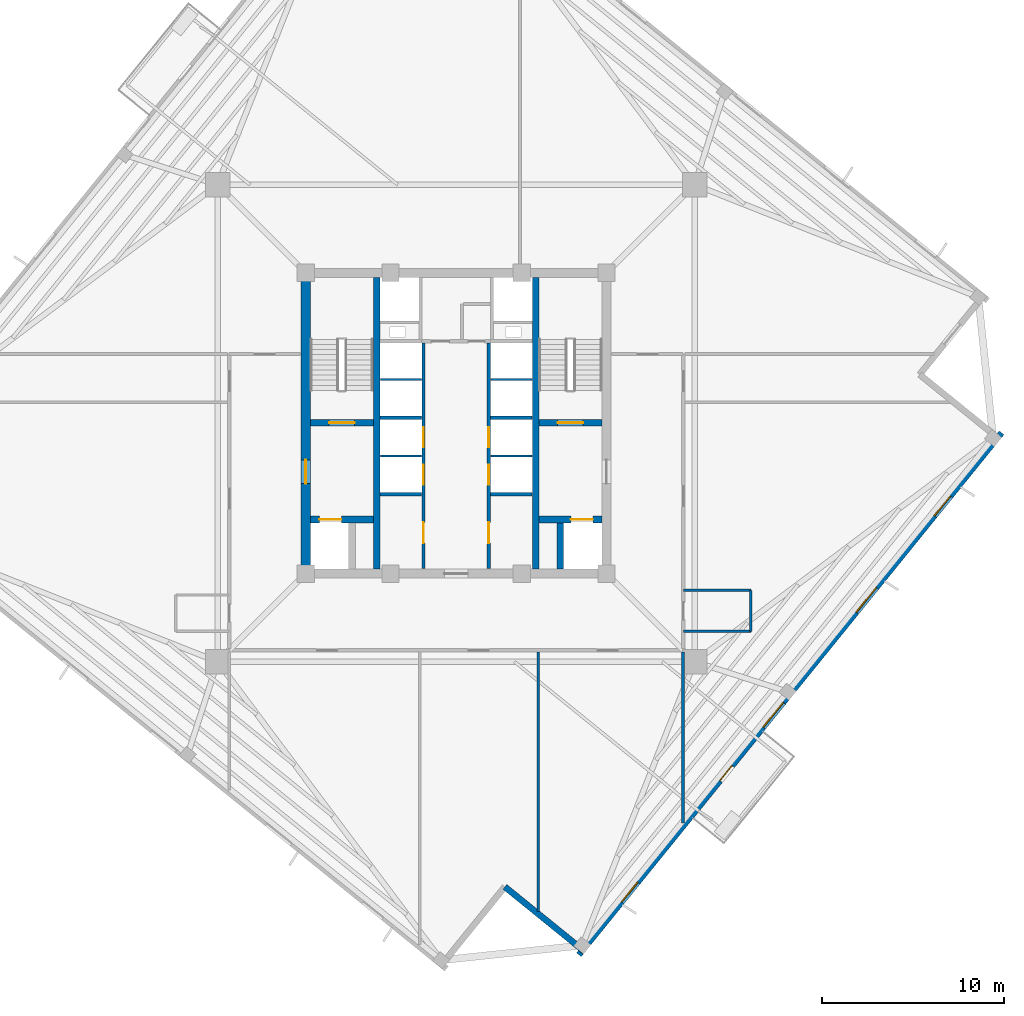
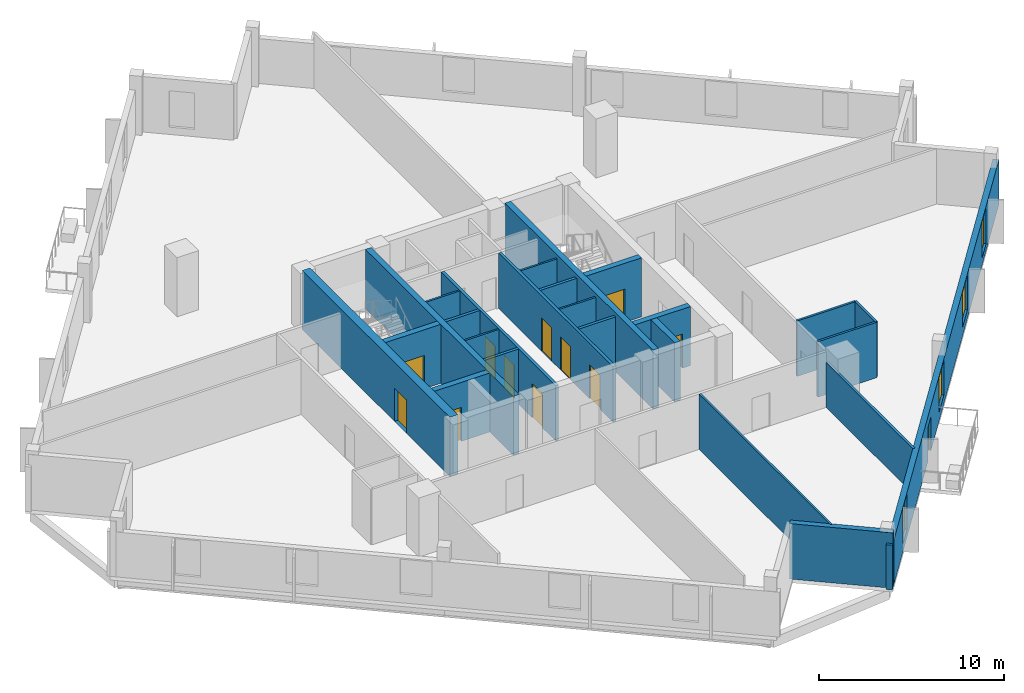
# One storey, part 3 of 9: 25 walls, 12 doors, 4 windows, 16 openings.
"""IFC4 building model written with IfcOpenShell, lengths in metres."""

from ifc_helpers import new_model, si_unit, direction, frame, frame_2d, origin, place, context, subcontext, project, spatial, rectangle, extrude, source, transform, mapped, material, layer, layer_set, type_object, element, fill, save


model = new_model("IFC4")

# Units and contexts
model_context = context("Model", 3, precision=1e-05, world=origin(), true_north=direction((0.0, 1.0)))
body_context = subcontext(model_context, "Body", "Model", "MODEL_VIEW")
ifc_project = project(units=[si_unit("LENGTHUNIT", "METRE"), si_unit("AREAUNIT", "SQUARE_METRE"), si_unit("VOLUMEUNIT", "CUBIC_METRE"), si_unit("PLANEANGLEUNIT", "RADIAN"), si_unit("MASSUNIT", "GRAM", prefix="KILO"), si_unit("THERMODYNAMICTEMPERATUREUNIT", "KELVIN")], contexts=[model_context])

# Site, building, storey
site_placement = place(None, origin())
site = spatial("IfcSite", under=ifc_project, at=site_placement, CompositionType="ELEMENT")
building_placement = place(site_placement, origin())
building = spatial("IfcBuilding", under=site, at=building_placement, Name="Kosmvard Interchange Tower", CompositionType="ELEMENT")
storey_placement = place(building_placement, frame((0.0, 0.0, 225.10009765625)))
storey = spatial("IfcBuildingStorey", under=building, at=storey_placement, Name="L54", CompositionType="ELEMENT", Elevation=225.10009765625)

# Wall
ifc_material_1 = material(Name="Acoustic gypsum partition system")
ifc_layer_1 = layer(ifc_material_1, 0.14990234375, Name="Acoustic gypsum partition system")
ifc_layer_set_1 = layer_set([ifc_layer_1], Name="Acoustic gypsum partition system")
wall_type_1 = type_object("IfcWallType", Name="Acoustic Suite & Meeting Partition 150", PredefinedType="PARTITIONING", material=ifc_layer_set_1)
wall_1_placement = place(storey_placement, frame((12.449951171875, -21.927734375, 0.0), z_axis=(0.0, 0.0, 1.0), x_axis=(0.0, 1.0, 0.0)))
element("IfcWall", 1, at=wall_1_placement, inside=storey, type_object=wall_type_1, Name="L54 Room Partition 09.1", PredefinedType="PARTITIONING", context=body_context, shape_type="SweptSolid", body=[
    extrude(rectangle(XDim=9.3828125, YDim=0.14990234375, at=frame_2d((4.69140625, 0.0))), origin(), (0.0, 0.0, 1.0), 2.9599609375),
])

# Wall, openings, doors
ifc_material_2 = material(Name="Fire-rated gypsum partition system")
ifc_layer_2 = layer(ifc_material_2, 0.179931640625, Name="Fire-rated gypsum partition system")
ifc_layer_set_2 = layer_set([ifc_layer_2], Name="Fire-rated gypsum partition system")
wall_type_2 = type_object("IfcWallType", Name="Corridor & Hotel Compartment Partition 180", PredefinedType="PARTITIONING", material=ifc_layer_set_2)
wall_2_placement = place(storey_placement, frame((-1.7900390625, -7.97998046875, 0.0), z_axis=(0.0, 0.0, 1.0), x_axis=(0.0, 1.0, 0.0)))
wall_2 = element("IfcWall", 2, at=wall_2_placement, inside=storey, type_object=wall_type_2, Name="L54 West Lift Bank Front Wall", PredefinedType="PARTITIONING", context=body_context, shape_type="SweptSolid", body=[
    extrude(rectangle(XDim=12.3798828125, YDim=0.179931640625, at=frame_2d((6.18994140625, 0.0))), origin(), (0.0, 0.0, 1.0), 3.659912109375),
])
opening_1_placement = place(wall_2_placement, frame((4.60009765625, 0.0, 0.0)))
opening_1 = element("IfcOpeningElement", 3, at=opening_1_placement, cuts=wall_2, Name="Opening LD-PL-M1-L54", PredefinedType="OPENING", context=body_context, shape_type="SweptSolid", body=[
    extrude(rectangle(XDim=1.10009765625, YDim=2.199951171875, at=frame_2d((0.550048828125, 1.10009765625))), frame((0.0, 0.10009765625, 0.0), z_axis=(0.0, -1.0, 0.0), x_axis=(1.0, 0.0, 0.0)), (0.0, 0.0, 1.0), 0.199951171875),
])
opening_2_placement = place(wall_2_placement, frame((6.659912109375, 0.0, 0.0)))
opening_2 = element("IfcOpeningElement", 4, at=opening_2_placement, cuts=wall_2, Name="Opening LD-PL-M2-L54", PredefinedType="OPENING", context=body_context, shape_type="SweptSolid", body=[
    extrude(rectangle(XDim=1.10009765625, YDim=2.199951171875, at=frame_2d((0.550048828125, 1.10009765625))), frame((0.0, 0.10009765625, 0.0), z_axis=(0.0, -1.0, 0.0), x_axis=(1.0, 0.0, 0.0)), (0.0, 0.0, 1.0), 0.199951171875),
])
opening_3_placement = place(wall_2_placement, frame((1.39990234375, 0.0, 0.0)))
opening_3 = element("IfcOpeningElement", 5, at=opening_3_placement, cuts=wall_2, Name="Opening L54-CD1", PredefinedType="OPENING", context=body_context, shape_type="SweptSolid", body=[
    extrude(rectangle(XDim=1.14990234375, YDim=2.25, at=frame_2d((0.574951171875, 1.125))), frame((0.0, 0.10009765625, 0.0), z_axis=(0.0, -1.0, 0.0), x_axis=(1.0, 0.0, 0.0)), (0.0, 0.0, 1.0), 0.199951171875),
])
ifc_material_3 = material(Name="Painted fire-rated steel leaf", Category="steel")
door_type_1 = type_object("IfcDoorType", Name="Plant & Riser Fire Door 1150x2250 EI60", OperationType="NOTDEFINED", PredefinedType="DOOR", material=ifc_material_3)
shared_shape_1 = source(origin(), body_context, "Body", "SweptSolid", [
    extrude(rectangle(XDim=1.14990234375, YDim=2.25, at=frame_2d((0.574951171875, 1.125))), frame((0.0, 0.02490234375, 0.0), z_axis=(0.0, -1.0, 0.0), x_axis=(1.0, 0.0, 0.0)), (0.0, 0.0, 1.0), 0.050048828125),
])
door_1_placement = place(opening_3_placement, origin())
door_1 = element("IfcDoor", 6, at=door_1_placement, inside=storey, type_object=door_type_1, Name="L54 Core Switch Door", OperationType="SINGLE_SWING_LEFT", OverallHeight=2.25, OverallWidth=1.14990234375, PredefinedType="DOOR", context=body_context, shape_type="MappedRepresentation", body=[
    mapped(shared_shape_1, transform((0.0, 0.0, 0.0), scale=1.0)),
])
fill(opening_3, door_1)
ifc_material_4 = material(Name="Brushed stainless steel sliding leaf", Category="steel")
door_type_2 = type_object("IfcDoorType", Name="Passenger Lift Sliding Landing Door 1100x2200 EI60", OperationType="DOUBLE_DOOR_SLIDING", PredefinedType="DOOR", material=ifc_material_4)
shared_shape_2 = source(origin(), body_context, "Body", "SweptSolid", [
    extrude(rectangle(XDim=1.10009765625, YDim=2.199951171875, at=frame_2d((0.550048828125, 1.10009765625))), frame((0.0, 0.02490234375, 0.0), z_axis=(0.0, -1.0, 0.0), x_axis=(1.0, 0.0, 0.0)), (0.0, 0.0, 1.0), 0.050048828125),
])
door_2_placement = place(opening_1_placement, frame((1.10009765625, 0.0, 0.0), z_axis=(0.0, 0.0, 1.0), x_axis=(-1.0, 0.0, 0.0)))
door_2 = element("IfcDoor", 7, at=door_2_placement, inside=storey, type_object=door_type_2, Name="Lift PL-M1 Landing Door L54", OperationType="DOUBLE_DOOR_SLIDING", OverallHeight=2.199951171875, OverallWidth=1.10009765625, PredefinedType="DOOR", context=body_context, shape_type="MappedRepresentation", body=[
    mapped(shared_shape_2, transform((0.0, 0.0, 0.0), scale=1.0)),
])
fill(opening_1, door_2)
door_3_placement = place(opening_2_placement, frame((1.10009765625, 0.0, 0.0), z_axis=(0.0, 0.0, 1.0), x_axis=(-1.0, 0.0, 0.0)))
door_3 = element("IfcDoor", 8, at=door_3_placement, inside=storey, type_object=door_type_2, Name="Lift PL-M2 Landing Door L54", OperationType="DOUBLE_DOOR_SLIDING", OverallHeight=2.199951171875, OverallWidth=1.10009765625, PredefinedType="DOOR", context=body_context, shape_type="MappedRepresentation", body=[
    mapped(shared_shape_2, transform((0.0, 0.0, 0.0), scale=1.0)),
])
fill(opening_2, door_3)

wall_3_placement = place(storey_placement, frame((1.7900390625, -7.97998046875, 0.0), z_axis=(0.0, 0.0, 1.0), x_axis=(0.0, 1.0, 0.0)))
wall_3 = element("IfcWall", 9, at=wall_3_placement, inside=storey, type_object=wall_type_2, Name="L54 East Lift Bank Front Wall", PredefinedType="PARTITIONING", context=body_context, shape_type="SweptSolid", body=[
    extrude(rectangle(XDim=12.3798828125, YDim=0.179931640625, at=frame_2d((6.18994140625, 0.0))), origin(), (0.0, 0.0, 1.0), 3.659912109375),
])
opening_4_placement = place(wall_3_placement, frame((4.60009765625, 0.0, 0.0)))
opening_4 = element("IfcOpeningElement", 10, at=opening_4_placement, cuts=wall_3, Name="Opening LD-PL-M3-L54", PredefinedType="OPENING", context=body_context, shape_type="SweptSolid", body=[
    extrude(rectangle(XDim=1.10009765625, YDim=2.199951171875, at=frame_2d((0.550048828125, 1.10009765625))), frame((0.0, 0.10009765625, 0.0), z_axis=(0.0, -1.0, 0.0), x_axis=(1.0, 0.0, 0.0)), (0.0, 0.0, 1.0), 0.199951171875),
])
opening_5_placement = place(wall_3_placement, frame((6.659912109375, 0.0, 0.0)))
opening_5 = element("IfcOpeningElement", 11, at=opening_5_placement, cuts=wall_3, Name="Opening LD-PL-M4-L54", PredefinedType="OPENING", context=body_context, shape_type="SweptSolid", body=[
    extrude(rectangle(XDim=1.10009765625, YDim=2.199951171875, at=frame_2d((0.550048828125, 1.10009765625))), frame((0.0, 0.10009765625, 0.0), z_axis=(0.0, -1.0, 0.0), x_axis=(1.0, 0.0, 0.0)), (0.0, 0.0, 1.0), 0.199951171875),
])
opening_6_placement = place(wall_3_placement, frame((1.39990234375, 0.0, 0.0)))
opening_6 = element("IfcOpeningElement", 12, at=opening_6_placement, cuts=wall_3, Name="Opening L54-CD2", PredefinedType="OPENING", context=body_context, shape_type="SweptSolid", body=[
    extrude(rectangle(XDim=1.14990234375, YDim=2.25, at=frame_2d((0.574951171875, 1.125))), frame((0.0, 0.10009765625, 0.0), z_axis=(0.0, -1.0, 0.0), x_axis=(1.0, 0.0, 0.0)), (0.0, 0.0, 1.0), 0.199951171875),
])
door_4_placement = place(opening_6_placement, frame((1.14990234375, 0.0, 0.0), z_axis=(0.0, 0.0, 1.0), x_axis=(-1.0, 0.0, 0.0)))
door_4 = element("IfcDoor", 13, at=door_4_placement, inside=storey, type_object=door_type_1, Name="L54 Core BMS Door", OperationType="SINGLE_SWING_RIGHT", OverallHeight=2.25, OverallWidth=1.14990234375, PredefinedType="DOOR", context=body_context, shape_type="MappedRepresentation", body=[
    mapped(shared_shape_1, transform((0.0, 0.0, 0.0), scale=1.0)),
])
fill(opening_6, door_4)
door_5_placement = place(opening_4_placement, origin())
door_5 = element("IfcDoor", 14, at=door_5_placement, inside=storey, type_object=door_type_2, Name="Lift PL-M3 Landing Door L54", OperationType="DOUBLE_DOOR_SLIDING", OverallHeight=2.199951171875, OverallWidth=1.10009765625, PredefinedType="DOOR", context=body_context, shape_type="MappedRepresentation", body=[
    mapped(shared_shape_2, transform((0.0, 0.0, 0.0), scale=1.0)),
])
fill(opening_4, door_5)
door_6_placement = place(opening_5_placement, origin())
door_6 = element("IfcDoor", 15, at=door_6_placement, inside=storey, type_object=door_type_2, Name="Lift PL-M4 Landing Door L54", OperationType="DOUBLE_DOOR_SLIDING", OverallHeight=2.199951171875, OverallWidth=1.10009765625, PredefinedType="DOOR", context=body_context, shape_type="MappedRepresentation", body=[
    mapped(shared_shape_2, transform((0.0, 0.0, 0.0), scale=1.0)),
])
fill(opening_5, door_6)

# Wall, openings, door, windows
ifc_material_5 = material(Name="Precast concrete C45/55", Category="concrete")
ifc_layer_3 = layer(ifc_material_5, 0.340087890625, Name="Precast concrete C45/55")
ifc_layer_set_3 = layer_set([ifc_layer_3], Name="Precast concrete C45/55")
wall_type_3 = type_object("IfcWallType", Name="Mid Tower Precast Pier Wall 340 C45/55", PredefinedType="STANDARD", material=ifc_layer_set_3)
wall_4_placement = place(storey_placement, frame((6.73291015625, -29.154296875, 0.0), z_axis=(0.0, 0.0, 1.0), x_axis=(0.629325378072, 0.77714192302, 0.0)))
wall_4 = element("IfcWall", 16, at=wall_4_placement, inside=storey, type_object=wall_type_3, Name="L54 Precast Facade Wall F-S", PredefinedType="STANDARD", context=body_context, shape_type="SweptSolid", body=[
    extrude(rectangle(XDim=36.840087890625, YDim=0.340087890625, at=frame_2d((18.419921875, 0.0))), origin(), (0.0, 0.0, 1.0), 2.9599609375),
])
opening_7_placement = place(wall_4_placement, frame((12.294921875, 0.0, 0.0)))
opening_7 = element("IfcOpeningElement", 17, at=opening_7_placement, cuts=wall_4, Name="Opening L54-BDS", PredefinedType="OPENING", context=body_context, shape_type="SweptSolid", body=[
    extrude(rectangle(XDim=1.050048828125, YDim=2.25, at=frame_2d((0.52490234375, 1.125))), frame((0.0, 0.18017578125, 0.0), z_axis=(0.0, -1.0, 0.0), x_axis=(1.0, 0.0, 0.0)), (0.0, 0.0, 1.0), 0.360107421875),
])
opening_8_placement = place(wall_4_placement, frame((3.720703125, 0.0, 0.47998046875)))
opening_8 = element("IfcOpeningElement", 18, at=opening_8_placement, cuts=wall_4, Name="Opening L54-W01", PredefinedType="OPENING", context=body_context, shape_type="SweptSolid", body=[
    extrude(rectangle(XDim=1.39990234375, YDim=2.39990234375, at=frame_2d((0.699951171875, 1.199951171875))), frame((0.0, 0.18017578125, 0.0), z_axis=(0.0, -1.0, 0.0), x_axis=(1.0, 0.0, 0.0)), (0.0, 0.0, 1.0), 0.360107421875),
])
opening_9_placement = place(wall_4_placement, frame((16.05810546875, 0.0, 0.580078125)))
opening_9 = element("IfcOpeningElement", 19, at=opening_9_placement, cuts=wall_4, Name="Opening L54-W02", PredefinedType="OPENING", context=body_context, shape_type="SweptSolid", body=[
    extrude(rectangle(XDim=1.75, YDim=2.300048828125, at=frame_2d((0.875, 1.14990234375))), frame((0.0, 0.18017578125, 0.0), z_axis=(0.0, -1.0, 0.0), x_axis=(1.0, 0.0, 0.0)), (0.0, 0.0, 1.0), 0.360107421875),
])
opening_10_placement = place(wall_4_placement, frame((24.17626953125, 0.0, 0.580078125)))
opening_10 = element("IfcOpeningElement", 20, at=opening_10_placement, cuts=wall_4, Name="Opening L54-W03", PredefinedType="OPENING", context=body_context, shape_type="SweptSolid", body=[
    extrude(rectangle(XDim=1.75, YDim=2.300048828125, at=frame_2d((0.875, 1.14990234375))), frame((0.0, 0.18017578125, 0.0), z_axis=(0.0, -1.0, 0.0), x_axis=(1.0, 0.0, 0.0)), (0.0, 0.0, 1.0), 0.360107421875),
])
opening_11_placement = place(wall_4_placement, frame((30.982421875, 0.0, 0.47998046875)))
opening_11 = element("IfcOpeningElement", 21, at=opening_11_placement, cuts=wall_4, Name="Opening L54-W04", PredefinedType="OPENING", context=body_context, shape_type="SweptSolid", body=[
    extrude(rectangle(XDim=1.39990234375, YDim=2.39990234375, at=frame_2d((0.699951171875, 1.199951171875))), frame((0.0, 0.18017578125, 0.0), z_axis=(0.0, -1.0, 0.0), x_axis=(1.0, 0.0, 0.0)), (0.0, 0.0, 1.0), 0.360107421875),
])
ifc_material_6 = material(Name="Anodised aluminium and safety glass", Category="aluminium")
door_type_3 = type_object("IfcDoorType", Name="Tree-Balcony Glazed Door 1050x2250", OperationType="NOTDEFINED", PredefinedType="DOOR", material=ifc_material_6)
shared_shape_3 = source(origin(), body_context, "Body", "SweptSolid", [
    extrude(rectangle(XDim=1.050048828125, YDim=2.25, at=frame_2d((0.52490234375, 1.125))), frame((0.0, 0.02490234375, 0.0), z_axis=(0.0, -1.0, 0.0), x_axis=(1.0, 0.0, 0.0)), (0.0, 0.0, 1.0), 0.050048828125),
])
door_7_placement = place(opening_7_placement, origin())
door_7 = element("IfcDoor", 22, at=door_7_placement, inside=storey, type_object=door_type_3, Name="L54 Tree-Balcony Door BAL-L54-S", OperationType="SINGLE_SWING_LEFT", OverallHeight=2.25, OverallWidth=1.050048828125, PredefinedType="DOOR", context=body_context, shape_type="MappedRepresentation", body=[
    mapped(shared_shape_3, transform((0.0, 0.0, 0.0), scale=1.0)),
])
fill(opening_7, door_7)
ifc_material_7 = material(Name="Low-E solar-control double glazing", Category="glass")
window_type_1 = type_object("IfcWindowType", Name="Notched Corner Feature Window 1400x2400", PartitioningType="SINGLE_PANEL", PredefinedType="WINDOW", material=ifc_material_7)
shared_shape_4 = source(origin(), body_context, "Body", "SweptSolid", [
    extrude(rectangle(XDim=1.39990234375, YDim=2.39990234375, at=frame_2d((0.699951171875, 1.199951171875))), frame((0.0, 0.030029296875, 0.0), z_axis=(0.0, -1.0, 0.0), x_axis=(1.0, 0.0, 0.0)), (0.0, 0.0, 1.0), 0.06005859375),
])
window_1_placement = place(opening_8_placement, origin())
window_1 = element("IfcWindow", 23, at=window_1_placement, inside=storey, type_object=window_type_1, Name="L54 Facade Punched Window 01", OverallHeight=2.39990234375, OverallWidth=1.39990234375, PartitioningType="SINGLE_PANEL", PredefinedType="WINDOW", context=body_context, shape_type="MappedRepresentation", body=[
    mapped(shared_shape_4, transform((0.0, 0.0, 0.0), scale=1.0)),
])
fill(opening_8, window_1)
window_2_placement = place(opening_11_placement, origin())
window_2 = element("IfcWindow", 24, at=window_2_placement, inside=storey, type_object=window_type_1, Name="L54 Facade Punched Window 04", OverallHeight=2.39990234375, OverallWidth=1.39990234375, PartitioningType="SINGLE_PANEL", PredefinedType="WINDOW", context=body_context, shape_type="MappedRepresentation", body=[
    mapped(shared_shape_4, transform((0.0, 0.0, 0.0), scale=1.0)),
])
fill(opening_11, window_2)
window_type_2 = type_object("IfcWindowType", Name="Zone 4 Suite Punched Window 1750x2300", PartitioningType="SINGLE_PANEL", PredefinedType="WINDOW", material=ifc_material_7)
shared_shape_5 = source(origin(), body_context, "Body", "SweptSolid", [
    extrude(rectangle(XDim=1.75, YDim=2.300048828125, at=frame_2d((0.875, 1.14990234375))), frame((0.0, 0.030029296875, 0.0), z_axis=(0.0, -1.0, 0.0), x_axis=(1.0, 0.0, 0.0)), (0.0, 0.0, 1.0), 0.06005859375),
])
window_3_placement = place(opening_9_placement, origin())
window_3 = element("IfcWindow", 25, at=window_3_placement, inside=storey, type_object=window_type_2, Name="L54 Facade Punched Window 02", OverallHeight=2.300048828125, OverallWidth=1.75, PartitioningType="SINGLE_PANEL", PredefinedType="WINDOW", context=body_context, shape_type="MappedRepresentation", body=[
    mapped(shared_shape_5, transform((0.0, 0.0, 0.0), scale=1.0)),
])
fill(opening_9, window_3)
window_4_placement = place(opening_10_placement, origin())
window_4 = element("IfcWindow", 26, at=window_4_placement, inside=storey, type_object=window_type_2, Name="L54 Facade Punched Window 03", OverallHeight=2.300048828125, OverallWidth=1.75, PartitioningType="SINGLE_PANEL", PredefinedType="WINDOW", context=body_context, shape_type="MappedRepresentation", body=[
    mapped(shared_shape_5, transform((0.0, 0.0, 0.0), scale=1.0)),
])
fill(opening_10, window_4)

# Walls
wall_5_placement = place(storey_placement, frame((2.672607421875, -25.428955078125, 0.0), z_axis=(0.0, 0.0, 1.0), x_axis=(0.777162640055, -0.629299794138, 0.0)))
element("IfcWall", 27, at=wall_5_placement, inside=storey, type_object=wall_type_3, Name="L54 Precast Facade Wall N-SW2", PredefinedType="STANDARD", context=body_context, shape_type="SweptSolid", body=[
    extrude(rectangle(XDim=5.669921875, YDim=0.340087890625, at=frame_2d((2.8349609375, 0.0))), origin(), (0.0, 0.0, 1.0), 3.659912109375),
])
ifc_material_8 = material(Name="Gypsum board partition system")
ifc_layer_4 = layer(ifc_material_8, 0.1201171875, Name="Gypsum board partition system")
ifc_layer_set_4 = layer_set([ifc_layer_4], Name="Gypsum board partition system")
wall_type_4 = type_object("IfcWallType", Name="Office Cellular Partition 120", PredefinedType="PARTITIONING", material=ifc_layer_set_4)
wall_6_placement = place(storey_placement, frame((4.5, -26.7734375, 0.0), z_axis=(0.0, 0.0, 1.0), x_axis=(0.0, 1.0, 0.0)))
element("IfcWall", 28, at=wall_6_placement, inside=storey, type_object=wall_type_4, Name="L54 Room Partition 08.1", PredefinedType="PARTITIONING", context=body_context, shape_type="SweptSolid", body=[
    extrude(rectangle(XDim=14.228515625, YDim=0.1201171875, at=frame_2d((7.1142578125, 0.0))), origin(), (0.0, 0.0, 1.0), 3.659912109375),
])
ifc_material_9 = material(Name="Concrete blockwork masonry", Category="masonry")
ifc_layer_5 = layer(ifc_material_9, 0.179931640625, Name="Concrete blockwork masonry")
ifc_layer_set_5 = layer_set([ifc_layer_5], Name="Concrete blockwork masonry")
wall_type_5 = type_object("IfcWallType", Name="Riser & Lift Bank Divider Wall 180", PredefinedType="PARTITIONING", material=ifc_layer_set_5)
for number, where, z_axis, x_axis, name in (
    (29, (-4.169921875, -3.89990234375, 0.0), (0.0, 0.0, 1.0), (1.0, 0.0, 0.0), "L54 West Bank Divider BD1"),
    (30, (1.889892578125, -3.89990234375, 0.0), (0.0, 0.0, 1.0), (1.0, 0.0, 0.0), "L54 East Bank Divider BD1"),
    (31, (-4.169921875, 0.300048828125, 0.0), (0.0, 0.0, 1.0), (1.0, 0.0, 0.0), "L54 West Bank Divider BD2"),
    (32, (1.889892578125, 0.300048828125, 0.0), (0.0, 0.0, 1.0), (1.0, 0.0, 0.0), "L54 East Bank Divider BD2"),
):
    element("IfcWall", number, at=place(storey_placement, frame(where, z_axis=z_axis, x_axis=x_axis)), inside=storey, type_object=wall_type_5, Name=name, PredefinedType="PARTITIONING", context=body_context, shape_type="SweptSolid", body=[
        extrude(rectangle(XDim=2.280029296875, YDim=0.179931640625, at=frame_2d((1.14013671875, 0.0))), origin(), (0.0, 0.0, 1.0), 3.659912109375),
    ])
ifc_material_10 = material(Name="Fire-rated gypsum shaftwall system")
ifc_layer_6 = layer(ifc_material_10, 0.1201171875, Name="Fire-rated gypsum shaftwall system")
ifc_layer_set_6 = layer_set([ifc_layer_6], Name="Fire-rated gypsum shaftwall system")
wall_type_6 = type_object("IfcWallType", Name="Shaft & Riser Fire Partition 120 EI60", PredefinedType="PARTITIONING", material=ifc_layer_set_6)
for number, where, z_axis, x_axis, name in (
    (33, (-4.159912109375, -1.800048828125, 0.0), (0.0, 0.0, 1.0), (1.0, 0.0, 0.0), "L54 Shaft Divider PL-M1"),
    (34, (1.89990234375, -1.800048828125, 0.0), (0.0, 0.0, 1.0), (1.0, 0.0, 0.0), "L54 Shaft Divider PL-M3"),
    (35, (-4.159912109375, 2.39990234375, 0.0), (0.0, 0.0, 1.0), (1.0, 0.0, 0.0), "L54 Shaft Divider PL-H1"),
    (36, (1.89990234375, 2.39990234375, 0.0), (0.0, 0.0, 1.0), (1.0, 0.0, 0.0), "L54 Shaft Divider PL-H3"),
):
    element("IfcWall", number, at=place(storey_placement, frame(where, z_axis=z_axis, x_axis=x_axis)), inside=storey, type_object=wall_type_6, Name=name, PredefinedType="PARTITIONING", context=body_context, shape_type="SweptSolid", body=[
        extrude(rectangle(XDim=2.260009765625, YDim=0.1201171875, at=frame_2d((1.1298828125, 0.0))), origin(), (0.0, 0.0, 1.0), 3.659912109375),
    ])
ifc_material_11 = material(Name="Concrete C60/75", Category="concrete")
ifc_layer_7 = layer(ifc_material_11, 0.360107421875, Name="Concrete C60/75")
ifc_layer_set_7 = layer_set([ifc_layer_7], Name="Concrete C60/75")
wall_type_7 = type_object("IfcWallType", Name="Stair & Lift Shaft Shear Wall 360 C60/75", PredefinedType="SHEAR", material=ifc_layer_set_7)
for number, where, z_axis, x_axis, name in (
    (37, (-4.360107421875, -8.0, 0.0), (0.0, 0.0, 1.0), (0.0, 1.0, 0.0), "L54 Shaft Shear Wall SW-W"),
    (38, (4.360107421875, -8.0, 0.0), (0.0, 0.0, 1.0), (0.0, 1.0, 0.0), "L54 Shaft Shear Wall SW-E"),
):
    element("IfcWall", number, at=place(storey_placement, frame(where, z_axis=z_axis, x_axis=x_axis)), inside=storey, type_object=wall_type_7, Name=name, PredefinedType="SHEAR", context=body_context, shape_type="SweptSolid", body=[
        extrude(rectangle(XDim=16.0, YDim=0.360107421875, at=frame_2d((8.0, 0.0))), origin(), (0.0, 0.0, 1.0), 3.89990234375),
    ])

# Wall, opening, door
wall_7_placement = place(storey_placement, frame((-8.0, 0.02001953125, 0.0), z_axis=(0.0, 0.0, 1.0), x_axis=(1.0, 0.0, 0.0)))
wall_7 = element("IfcWall", 39, at=wall_7_placement, inside=storey, type_object=wall_type_7, Name="L54 Shaft Shear Wall SW-ST1", PredefinedType="SHEAR", context=body_context, shape_type="SweptSolid", body=[
    extrude(rectangle(XDim=3.4599609375, YDim=0.360107421875, at=frame_2d((1.72998046875, 0.0))), origin(), (0.0, 0.0, 1.0), 3.89990234375),
])
opening_12_placement = place(wall_7_placement, frame((1.030029296875, 0.0, 0.0)))
opening_12 = element("IfcOpeningElement", 40, at=opening_12_placement, cuts=wall_7, Name="Opening L54-SD1", PredefinedType="OPENING", context=body_context, shape_type="SweptSolid", body=[
    extrude(rectangle(XDim=1.39990234375, YDim=2.199951171875, at=frame_2d((0.699951171875, 1.10009765625))), frame((0.0, 0.18994140625, 0.0), z_axis=(0.0, -1.0, 0.0), x_axis=(1.0, 0.0, 0.0)), (0.0, 0.0, 1.0), 0.380126953125),
])
door_type_4 = type_object("IfcDoorType", Name="Protected Stair Door 1400x2200 FD60S", OperationType="NOTDEFINED", PredefinedType="DOOR", material=ifc_material_3)
shared_shape_6 = source(origin(), body_context, "Body", "SweptSolid", [
    extrude(rectangle(XDim=1.39990234375, YDim=2.199951171875, at=frame_2d((0.699951171875, 1.10009765625))), frame((0.0, 0.02490234375, 0.0), z_axis=(0.0, -1.0, 0.0), x_axis=(1.0, 0.0, 0.0)), (0.0, 0.0, 1.0), 0.050048828125),
])
door_8_placement = place(opening_12_placement, origin())
door_8 = element("IfcDoor", 41, at=door_8_placement, inside=storey, type_object=door_type_4, Name="L54 Stair ST-1 Enclosure Door", OperationType="SINGLE_SWING_LEFT", OverallHeight=2.199951171875, OverallWidth=1.39990234375, PredefinedType="DOOR", context=body_context, shape_type="MappedRepresentation", body=[
    mapped(shared_shape_6, transform((0.0, 0.0, 0.0), scale=1.0)),
])
fill(opening_12, door_8)

wall_8_placement = place(storey_placement, frame((4.5400390625, 0.02001953125, 0.0), z_axis=(0.0, 0.0, 1.0), x_axis=(1.0, 0.0, 0.0)))
wall_8 = element("IfcWall", 42, at=wall_8_placement, inside=storey, type_object=wall_type_7, Name="L54 Shaft Shear Wall SW-ST2", PredefinedType="SHEAR", context=body_context, shape_type="SweptSolid", body=[
    extrude(rectangle(XDim=3.4599609375, YDim=0.360107421875, at=frame_2d((1.72998046875, 0.0))), origin(), (0.0, 0.0, 1.0), 3.89990234375),
])
opening_13_placement = place(wall_8_placement, frame((1.030029296875, 0.0, 0.0)))
opening_13 = element("IfcOpeningElement", 43, at=opening_13_placement, cuts=wall_8, Name="Opening L54-SD2", PredefinedType="OPENING", context=body_context, shape_type="SweptSolid", body=[
    extrude(rectangle(XDim=1.39990234375, YDim=2.199951171875, at=frame_2d((0.699951171875, 1.10009765625))), frame((0.0, 0.18994140625, 0.0), z_axis=(0.0, -1.0, 0.0), x_axis=(1.0, 0.0, 0.0)), (0.0, 0.0, 1.0), 0.380126953125),
])
door_9_placement = place(opening_13_placement, origin())
door_9 = element("IfcDoor", 44, at=door_9_placement, inside=storey, type_object=door_type_4, Name="L54 Stair ST-2 Enclosure Door", OperationType="SINGLE_SWING_RIGHT", OverallHeight=2.199951171875, OverallWidth=1.39990234375, PredefinedType="DOOR", context=body_context, shape_type="MappedRepresentation", body=[
    mapped(shared_shape_6, transform((0.0, 0.0, 0.0), scale=1.0)),
])
fill(opening_13, door_9)

wall_9_placement = place(storey_placement, frame((-8.0, -5.280029296875, 0.0), z_axis=(0.0, 0.0, 1.0), x_axis=(1.0, 0.0, 0.0)))
wall_9 = element("IfcWall", 45, at=wall_9_placement, inside=storey, type_object=wall_type_7, Name="L54 Shaft Shear Wall SW-FF1", PredefinedType="SHEAR", context=body_context, shape_type="SweptSolid", body=[
    extrude(rectangle(XDim=3.4599609375, YDim=0.360107421875, at=frame_2d((1.72998046875, 0.0))), origin(), (0.0, 0.0, 1.0), 3.89990234375),
])
opening_14_placement = place(wall_9_placement, frame((0.5, 0.0, 0.0)))
opening_14 = element("IfcOpeningElement", 46, at=opening_14_placement, cuts=wall_9, Name="Opening LD-FF-1-L54", PredefinedType="OPENING", context=body_context, shape_type="SweptSolid", body=[
    extrude(rectangle(XDim=1.199951171875, YDim=2.25, at=frame_2d((0.60009765625, 1.125))), frame((0.0, 0.18994140625, 0.0), z_axis=(0.0, -1.0, 0.0), x_axis=(1.0, 0.0, 0.0)), (0.0, 0.0, 1.0), 0.380126953125),
])
door_type_5 = type_object("IfcDoorType", Name="Firefighting Lift Sliding Landing Door 1200x2250 EI120", OperationType="DOUBLE_DOOR_SLIDING", PredefinedType="DOOR", material=ifc_material_4)
shared_shape_7 = source(origin(), body_context, "Body", "SweptSolid", [
    extrude(rectangle(XDim=1.199951171875, YDim=2.25, at=frame_2d((0.60009765625, 1.125))), frame((0.0, 0.02490234375, 0.0), z_axis=(0.0, -1.0, 0.0), x_axis=(1.0, 0.0, 0.0)), (0.0, 0.0, 1.0), 0.050048828125),
])
door_10_placement = place(opening_14_placement, origin())
door_10 = element("IfcDoor", 47, at=door_10_placement, inside=storey, type_object=door_type_5, Name="Lift FF-1 Landing Door L54", OperationType="DOUBLE_DOOR_SLIDING", OverallHeight=2.25, OverallWidth=1.199951171875, PredefinedType="DOOR", context=body_context, shape_type="MappedRepresentation", body=[
    mapped(shared_shape_7, transform((0.0, 0.0, 0.0), scale=1.0)),
])
fill(opening_14, door_10)

wall_10_placement = place(storey_placement, frame((4.5400390625, -5.280029296875, 0.0), z_axis=(0.0, 0.0, 1.0), x_axis=(1.0, 0.0, 0.0)))
wall_10 = element("IfcWall", 48, at=wall_10_placement, inside=storey, type_object=wall_type_7, Name="L54 Shaft Shear Wall SW-FF2", PredefinedType="SHEAR", context=body_context, shape_type="SweptSolid", body=[
    extrude(rectangle(XDim=3.4599609375, YDim=0.360107421875, at=frame_2d((1.72998046875, 0.0))), origin(), (0.0, 0.0, 1.0), 3.89990234375),
])
opening_15_placement = place(wall_10_placement, frame((1.760009765625, 0.0, 0.0)))
opening_15 = element("IfcOpeningElement", 49, at=opening_15_placement, cuts=wall_10, Name="Opening LD-FF-2-L54", PredefinedType="OPENING", context=body_context, shape_type="SweptSolid", body=[
    extrude(rectangle(XDim=1.199951171875, YDim=2.25, at=frame_2d((0.60009765625, 1.125))), frame((0.0, 0.18994140625, 0.0), z_axis=(0.0, -1.0, 0.0), x_axis=(1.0, 0.0, 0.0)), (0.0, 0.0, 1.0), 0.380126953125),
])
door_11_placement = place(opening_15_placement, origin())
door_11 = element("IfcDoor", 50, at=door_11_placement, inside=storey, type_object=door_type_5, Name="Lift FF-2 Landing Door L54", OperationType="DOUBLE_DOOR_SLIDING", OverallHeight=2.25, OverallWidth=1.199951171875, PredefinedType="DOOR", context=body_context, shape_type="MappedRepresentation", body=[
    mapped(shared_shape_7, transform((0.0, 0.0, 0.0), scale=1.0)),
])
fill(opening_15, door_11)

# Wall
wall_11_placement = place(storey_placement, frame((5.7099609375, -8.0, 0.0), z_axis=(0.0, 0.0, 1.0), x_axis=(0.0, 1.0, 0.0)))
element("IfcWall", 51, at=wall_11_placement, inside=storey, type_object=wall_type_7, Name="L54 Shaft Shear Wall SW-SM2", PredefinedType="SHEAR", context=body_context, shape_type="SweptSolid", body=[
    extrude(rectangle(XDim=2.5400390625, YDim=0.360107421875, at=frame_2d((1.27001953125, 0.0))), origin(), (0.0, 0.0, 1.0), 3.89990234375),
])

# Wall, opening, door
ifc_layer_8 = layer(ifc_material_11, 0.5, Name="Concrete C60/75")
ifc_layer_set_8 = layer_set([ifc_layer_8], Name="Concrete C60/75")
wall_type_8 = type_object("IfcWallType", Name="Upper Core Shear Wall 500 C60/75", PredefinedType="SHEAR", material=ifc_layer_set_8)
wall_12_placement = place(storey_placement, frame((-8.25, -8.0, 0.0), z_axis=(0.0, 0.0, 1.0), x_axis=(0.0, 1.0, 0.0)))
wall_12 = element("IfcWall", 52, at=wall_12_placement, inside=storey, type_object=wall_type_8, Name="L54 Core Shear Wall CW-W", PredefinedType="SHEAR", context=body_context, shape_type="SweptSolid", body=[
    extrude(rectangle(XDim=16.0, YDim=0.5, at=frame_2d((8.0, 0.0))), origin(), (0.0, 0.0, 1.0), 3.89990234375),
])
opening_16_placement = place(wall_12_placement, frame((4.68994140625, 0.0, 0.0)))
opening_16 = element("IfcOpeningElement", 53, at=opening_16_placement, cuts=wall_12, Name="Opening L54-FD1", PredefinedType="OPENING", context=body_context, shape_type="SweptSolid", body=[
    extrude(rectangle(XDim=1.300048828125, YDim=2.199951171875, at=frame_2d((0.64990234375, 1.10009765625))), frame((0.0, 0.260009765625, 0.0), z_axis=(0.0, -1.0, 0.0), x_axis=(1.0, 0.0, 0.0)), (0.0, 0.0, 1.0), 0.52001953125),
])
door_type_6 = type_object("IfcDoorType", Name="Firefighting Lobby Door 1300x2200 EI60", OperationType="NOTDEFINED", PredefinedType="DOOR", material=ifc_material_3)
shared_shape_8 = source(origin(), body_context, "Body", "SweptSolid", [
    extrude(rectangle(XDim=1.300048828125, YDim=2.199951171875, at=frame_2d((0.64990234375, 1.10009765625))), frame((0.0, 0.02490234375, 0.0), z_axis=(0.0, -1.0, 0.0), x_axis=(1.0, 0.0, 0.0)), (0.0, 0.0, 1.0), 0.050048828125),
])
door_12_placement = place(opening_16_placement, frame((1.300048828125, 0.0, 0.0), z_axis=(0.0, 0.0, 1.0), x_axis=(-1.0, 0.0, 0.0)))
door_12 = element("IfcDoor", 54, at=door_12_placement, inside=storey, type_object=door_type_6, Name="L54 Firefighting Lobby West Door", OperationType="SINGLE_SWING_LEFT", OverallHeight=2.199951171875, OverallWidth=1.300048828125, PredefinedType="DOOR", context=body_context, shape_type="MappedRepresentation", body=[
    mapped(shared_shape_8, transform((0.0, 0.0, 0.0), scale=1.0)),
])
fill(opening_16, door_12)

# Walls
ifc_material_12 = material(Name="Moisture-resistant gypsum partition")
ifc_layer_9 = layer(ifc_material_12, 0.135009765625, Name="Moisture-resistant gypsum partition")
ifc_layer_set_9 = layer_set([ifc_layer_9], Name="Moisture-resistant gypsum partition")
wall_type_9 = type_object("IfcWallType", Name="Wet Room Moisture-Resistant Partition 135", PredefinedType="PARTITIONING", material=ifc_layer_set_9)
wall_13_placement = place(storey_placement, frame((12.469970703125, -11.419921875, 0.0), z_axis=(0.0, 0.0, 1.0), x_axis=(1.0, 0.0, 0.0)))
element("IfcWall", 55, at=wall_13_placement, inside=storey, type_object=wall_type_9, Name="L54 Washroom Partition WC1-S", PredefinedType="PARTITIONING", context=body_context, shape_type="SweptSolid", body=[
    extrude(rectangle(XDim=3.699951171875, YDim=0.135009765625, at=frame_2d((1.85009765625, 0.0))), origin(), (0.0, 0.0, 1.0), 3.659912109375),
])
wall_14_placement = place(storey_placement, frame((16.169921875, -11.419921875, 0.0), z_axis=(0.0, 0.0, 1.0), x_axis=(0.0, 1.0, 0.0)))
element("IfcWall", 56, at=wall_14_placement, inside=storey, type_object=wall_type_9, Name="L54 Washroom Partition WC1-E", PredefinedType="PARTITIONING", context=body_context, shape_type="SweptSolid", body=[
    extrude(rectangle(XDim=2.25, YDim=0.135009765625, at=frame_2d((1.125, 0.0))), origin(), (0.0, 0.0, 1.0), 3.659912109375),
])
wall_15_placement = place(storey_placement, frame((12.469970703125, -9.169921875, 0.0), z_axis=(0.0, 0.0, 1.0), x_axis=(1.0, 0.0, 0.0)))
element("IfcWall", 57, at=wall_15_placement, inside=storey, type_object=wall_type_9, Name="L54 Washroom Partition WC1-N", PredefinedType="PARTITIONING", context=body_context, shape_type="SweptSolid", body=[
    extrude(rectangle(XDim=3.699951171875, YDim=0.135009765625, at=frame_2d((1.85009765625, 0.0))), origin(), (0.0, 0.0, 1.0), 3.659912109375),
])

save(model, "model.ifc")
